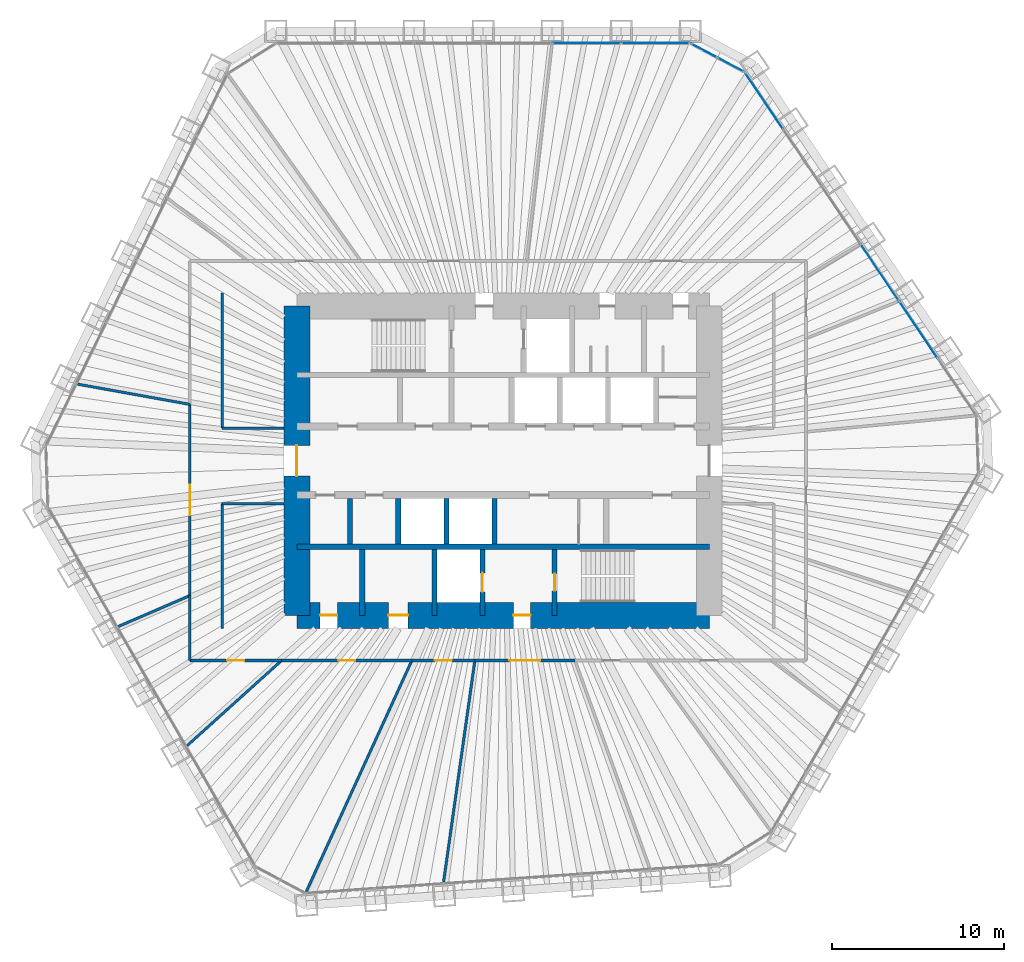
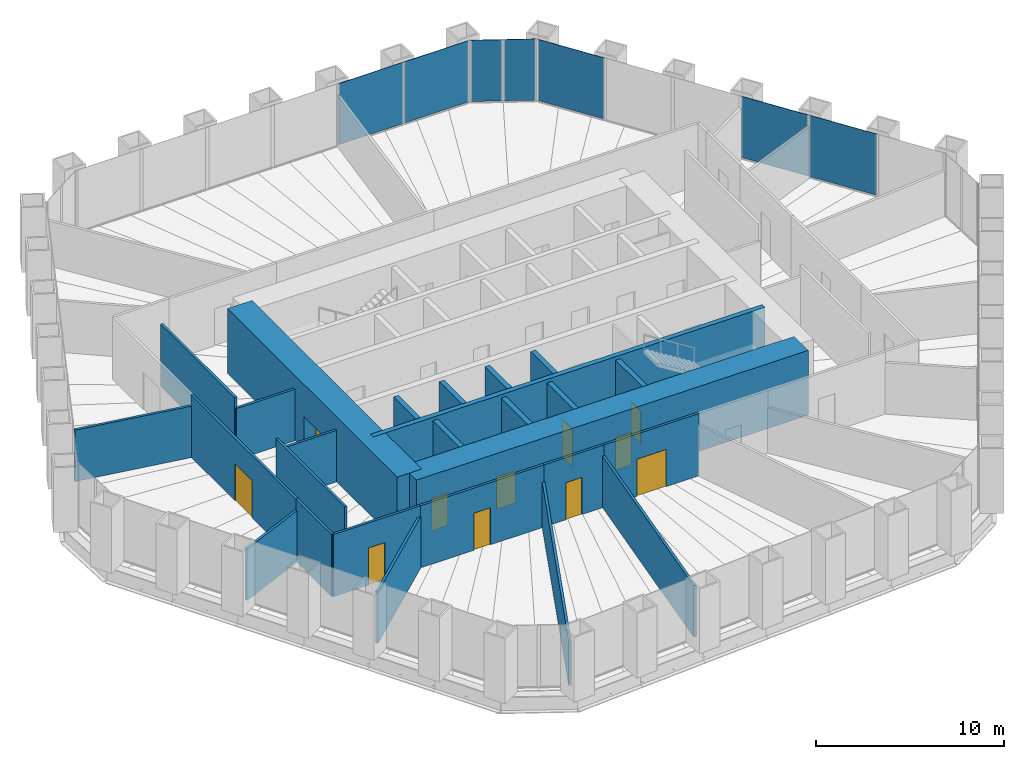
# One storey, part 10 of 13: 26 walls, 11 doors, 7 plates, 11 openings, 3 elements without a shape of their own.
"""IFC4 building model written with IfcOpenShell, lengths in metres."""

from ifc_helpers import new_model, si_unit, direction, frame, frame_2d, origin, origin_2d, place, context, subcontext, project, spatial, rectangle, extrude, material, layer, layer_set, type_object, element, fill, aggregate, save


model = new_model("IFC4")

# Units and contexts
model_context = context("Model", 3, precision=1e-05, world=origin(), true_north=direction((0.0, 1.0)))
body_context = subcontext(model_context, "Body", "Model", "MODEL_VIEW")
ifc_project = project(units=[si_unit("LENGTHUNIT", "METRE"), si_unit("AREAUNIT", "SQUARE_METRE"), si_unit("VOLUMEUNIT", "CUBIC_METRE"), si_unit("PLANEANGLEUNIT", "RADIAN"), si_unit("MASSUNIT", "GRAM", prefix="KILO")], contexts=[model_context])

# Site, building, storey
site_placement = place(None, origin())
site = spatial("IfcSite", under=ifc_project, at=site_placement, CompositionType="ELEMENT")
building_placement = place(site_placement, origin())
building = spatial("IfcBuilding", under=site, at=building_placement, Name="Qingtian Harvest Tower", CompositionType="ELEMENT")
storey_placement = place(building_placement, frame((0.0, 0.0, 128.199951171875)))
storey = spatial("IfcBuildingStorey", under=building, at=storey_placement, Name="L26", CompositionType="ELEMENT", Elevation=128.199951171875)

# Curtain wall, plates
ifc_material_1 = material(Name="Bronze-anodised aluminium curtain wall", Category="aluminium")
curtain_wall_type = type_object("IfcCurtainWallType", Name="Curtain wall CW4 office", PredefinedType="USERDEFINED", material=ifc_material_1)
curtain_wall_1_placement = place(storey_placement, origin())
curtain_wall_1 = element("IfcCurtainWall", 1, at=curtain_wall_1_placement, inside=storey, type_object=curtain_wall_type, Name="Curtain wall CW4 L26 N0-5", ObjectType="RECESSED CURTAIN WALL", PredefinedType="USERDEFINED")
ifc_material_2 = material(Name="Bronze-tinted laminated insulating glass", Category="glass")
ifc_layer_1 = layer(ifc_material_2, 0.030029296875)
ifc_layer_set_1 = layer_set([ifc_layer_1], Name="Glazed panel CWP tinted IGU")
plate_type = type_object("IfcPlateType", Name="Glazed panel CWP tinted IGU", PredefinedType="CURTAIN_PANEL", material=ifc_layer_set_1)
plate_1_placement = place(storey_placement, frame((4.864013671875, 24.300048828125, 0.06494140625), z_axis=(0.0, 0.0, 1.0), x_axis=(1.0, 0.0, 0.0)))
plate_1 = element("IfcPlate", 2, at=plate_1_placement, type_object=plate_type, Name="CW4 panel 5.1", PredefinedType="CURTAIN_PANEL", context=body_context, shape_type="SweptSolid", body=[
    extrude(rectangle(XDim=3.9541015625, YDim=0.030029296875, at=origin_2d()), origin(), (0.0, 0.0, 1.0), 3.965087890625),
])
plate_2_placement = place(storey_placement, frame((8.866943359375, 24.300048828125, 0.06494140625), z_axis=(0.0, 0.0, 1.0), x_axis=(1.0, 0.0, 0.0)))
plate_2 = element("IfcPlate", 3, at=plate_2_placement, type_object=plate_type, Name="CW4 panel 6.1", PredefinedType="CURTAIN_PANEL", context=body_context, shape_type="SweptSolid", body=[
    extrude(rectangle(XDim=3.921630859375, YDim=0.030029296875, at=origin_2d()), origin(), (0.0, 0.0, 1.0), 3.965087890625),
])
aggregate(curtain_wall_1, [plate_1, plate_2])

curtain_wall_2_placement = place(storey_placement, origin())
curtain_wall_2 = element("IfcCurtainWall", 4, at=curtain_wall_2_placement, inside=storey, type_object=curtain_wall_type, Name="Curtain wall CW4 L26 NC", ObjectType="RECESSED CURTAIN WALL", PredefinedType="USERDEFINED")
plate_3_placement = place(storey_placement, frame((11.697509765625, 23.8720703125, 0.06494140625), z_axis=(0.0, 0.0, 1.0), x_axis=(0.882947592859, -0.469471562786, 0.0)))
plate_3 = element("IfcPlate", 5, at=plate_3_placement, type_object=plate_type, Name="CW4 panel 1.1", PredefinedType="CURTAIN_PANEL", context=body_context, shape_type="SweptSolid", body=[
    extrude(rectangle(XDim=1.69287109375, YDim=0.030029296875, at=origin_2d()), origin(), (0.0, 0.0, 1.0), 3.965087890625),
])
plate_4_placement = place(storey_placement, frame((13.249755859375, 23.046875, 0.06494140625), z_axis=(0.0, 0.0, 1.0), x_axis=(0.882947592859, -0.469471562786, 0.0)))
plate_4 = element("IfcPlate", 6, at=plate_4_placement, type_object=plate_type, Name="CW4 panel 2.1", PredefinedType="CURTAIN_PANEL", context=body_context, shape_type="SweptSolid", body=[
    extrude(rectangle(XDim=1.69287109375, YDim=0.030029296875, at=origin_2d()), origin(), (0.0, 0.0, 1.0), 3.965087890625),
])
aggregate(curtain_wall_2, [plate_3, plate_4])

curtain_wall_3_placement = place(storey_placement, origin())
curtain_wall_3 = element("IfcCurtainWall", 7, at=curtain_wall_3_placement, inside=storey, type_object=curtain_wall_type, Name="Curtain wall CW4 L26 NE0-5", ObjectType="RECESSED CURTAIN WALL", PredefinedType="USERDEFINED")
plate_5_placement = place(storey_placement, frame((15.187255859375, 20.939453125, 0.06494140625), z_axis=(0.0, 0.0, 1.0), x_axis=(0.559192903471, -0.829037572555, 0.0)))
plate_5 = element("IfcPlate", 8, at=plate_5_placement, type_object=plate_type, Name="CW4 panel 1.1", PredefinedType="CURTAIN_PANEL", context=body_context, shape_type="SweptSolid", body=[
    extrude(rectangle(XDim=3.921630859375, YDim=0.030029296875, at=origin_2d()), origin(), (0.0, 0.0, 1.0), 3.965087890625),
])
plate_6_placement = place(storey_placement, frame((21.92041015625, 10.95703125, 0.06494140625), z_axis=(0.0, 0.0, 1.0), x_axis=(0.559192903471, -0.829037572555, 0.0)))
plate_6 = element("IfcPlate", 9, at=plate_6_placement, type_object=plate_type, Name="CW4 panel 4.1", PredefinedType="CURTAIN_PANEL", context=body_context, shape_type="SweptSolid", body=[
    extrude(rectangle(XDim=3.9541015625, YDim=0.030029296875, at=origin_2d()), origin(), (0.0, 0.0, 1.0), 3.965087890625),
])
plate_7_placement = place(storey_placement, frame((24.16796875, 7.625, 0.06494140625), z_axis=(0.0, 0.0, 1.0), x_axis=(0.559192903471, -0.829037572555, 0.0)))
plate_7 = element("IfcPlate", 10, at=plate_7_placement, type_object=plate_type, Name="CW4 panel 5.1", PredefinedType="CURTAIN_PANEL", context=body_context, shape_type="SweptSolid", body=[
    extrude(rectangle(XDim=3.9541015625, YDim=0.030029296875, at=origin_2d()), origin(), (0.0, 0.0, 1.0), 3.965087890625),
])
aggregate(curtain_wall_3, [plate_5, plate_6, plate_7])

# Walls
ifc_material_3 = material(Name="Concrete fc' 70 MPa", Category="concrete")
ifc_layer_2 = layer(ifc_material_3, 0.300048828125)
ifc_layer_set_2 = layer_set([ifc_layer_2], Name="Core inner wall RC5 300")
wall_type_1 = type_object("IfcWallType", Name="Core inner wall RC5 300", PredefinedType="SHEAR", material=ifc_layer_set_2)
wall_1_placement = place(storey_placement, frame((-12.0, -5.0, 0.0), z_axis=(0.0, 0.0, 1.0), x_axis=(1.0, 0.0, 0.0)))
element("IfcWall", 11, at=wall_1_placement, inside=storey, type_object=wall_type_1, Name="Core wall IS5 L26", PredefinedType="SHEAR", context=body_context, shape_type="SweptSolid", body=[
    extrude(rectangle(XDim=24.0, YDim=0.300048828125, at=frame_2d((12.0, 0.0))), origin(), (0.0, 0.0, 1.0), 4.199951171875),
])
ifc_material_4 = material(Name="Precast concrete shaft panel", Category="concrete")
ifc_layer_3 = layer(ifc_material_4, 0.300048828125)
ifc_layer_set_3 = layer_set([ifc_layer_3], Name="Core shaft partition SW1 300")
wall_type_2 = type_object("IfcWallType", Name="Core shaft partition SW1 300", PredefinedType="PARTITIONING", material=ifc_layer_set_3)
for number, where, z_axis, x_axis, name in (
    (12, (-8.89990234375, -4.85009765625, 0.0), (0.0, 0.0, 1.0), (0.0, 1.0, 0.0), "Core shaft partition XB1 L26"),
    (13, (-6.10009765625, -4.85009765625, 0.0), (0.0, 0.0, 1.0), (0.0, 1.0, 0.0), "Core shaft partition XB2 L26"),
    (14, (-3.300048828125, -4.85009765625, 0.0), (0.0, 0.0, 1.0), (0.0, 1.0, 0.0), "Core shaft partition XB3 L26"),
    (15, (-0.5, -4.85009765625, 0.0), (0.0, 0.0, 1.0), (0.0, 1.0, 0.0), "Core shaft partition XB4 L26"),
):
    element("IfcWall", number, at=place(storey_placement, frame(where, z_axis=z_axis, x_axis=x_axis)), inside=storey, type_object=wall_type_2, Name=name, PredefinedType="PARTITIONING", context=body_context, shape_type="SweptSolid", body=[
        extrude(rectangle(XDim=2.650146484375, YDim=0.300048828125, at=frame_2d((1.3251953125, 0.0))), origin(), (0.0, 0.0, 1.0), 3.97998046875),
    ])
for number, where, z_axis, x_axis, name in (
    (16, (-8.199951171875, -9.0, 0.0), (0.0, 0.0, 1.0), (0.0, 1.0, 0.0), "Core shaft partition XS1 L26"),
    (17, (-4.0, -9.0, 0.0), (0.0, 0.0, 1.0), (0.0, 1.0, 0.0), "Core shaft partition XS2 L26"),
):
    element("IfcWall", number, at=place(storey_placement, frame(where, z_axis=z_axis, x_axis=x_axis)), inside=storey, type_object=wall_type_2, Name=name, PredefinedType="PARTITIONING", context=body_context, shape_type="SweptSolid", body=[
        extrude(rectangle(XDim=3.85009765625, YDim=0.300048828125, at=frame_2d((1.925048828125, 0.0))), origin(), (0.0, 0.0, 1.0), 3.97998046875),
    ])

# Wall, opening, door
wall_2_placement = place(storey_placement, frame((-1.199951171875, -9.0, 0.0), z_axis=(0.0, 0.0, 1.0), x_axis=(0.0, 1.0, 0.0)))
wall_2 = element("IfcWall", 18, at=wall_2_placement, inside=storey, type_object=wall_type_2, Name="Core shaft partition XS3 L26", PredefinedType="PARTITIONING", context=body_context, shape_type="SweptSolid", body=[
    extrude(rectangle(XDim=3.85009765625, YDim=0.300048828125, at=frame_2d((1.925048828125, 0.0))), origin(), (0.0, 0.0, 1.0), 3.97998046875),
])
opening_1_placement = place(wall_2_placement, frame((1.375, 0.0, 0.0)))
opening_1 = element("IfcOpeningElement", 19, at=opening_1_placement, cuts=wall_2, Name="Opening LD1", PredefinedType="OPENING", context=body_context, shape_type="SweptSolid", body=[
    extrude(rectangle(XDim=1.10009765625, YDim=2.39990234375, at=frame_2d((0.550048828125, 1.199951171875))), frame((0.0, 0.159912109375, 0.0), z_axis=(0.0, -1.0, 0.0), x_axis=(1.0, 0.0, 0.0)), (0.0, 0.0, 1.0), 0.320068359375),
])
ifc_material_5 = material(Name="Stainless steel lift landing door", Category="steel")
door_type_1 = type_object("IfcDoorType", Name="Lift landing door LD1 1 HR", OperationType="DOUBLE_DOOR_SLIDING", PredefinedType="DOOR", material=ifc_material_5)
door_1_placement = place(opening_1_placement, origin())
door_1 = element("IfcDoor", 20, at=door_1_placement, inside=storey, type_object=door_type_1, Name="FL2 landing door L26", OperationType="DOUBLE_DOOR_SLIDING", OverallHeight=2.39990234375, OverallWidth=1.10009765625, PredefinedType="DOOR", context=body_context, shape_type="SweptSolid", body=[
    extrude(rectangle(XDim=1.10009765625, YDim=2.39990234375, at=frame_2d((0.550048828125, 1.199951171875))), frame((0.0, 0.02490234375, 0.0), z_axis=(0.0, -1.0, 0.0), x_axis=(1.0, 0.0, 0.0)), (0.0, 0.0, 1.0), 0.050048828125),
])
fill(opening_1, door_1)

wall_3_placement = place(storey_placement, frame((3.0, -9.0, 0.0), z_axis=(0.0, 0.0, 1.0), x_axis=(0.0, 1.0, 0.0)))
wall_3 = element("IfcWall", 21, at=wall_3_placement, inside=storey, type_object=wall_type_2, Name="Core shaft partition XS4 L26", PredefinedType="PARTITIONING", context=body_context, shape_type="SweptSolid", body=[
    extrude(rectangle(XDim=3.85009765625, YDim=0.300048828125, at=frame_2d((1.925048828125, 0.0))), origin(), (0.0, 0.0, 1.0), 3.97998046875),
])
opening_2_placement = place(wall_3_placement, frame((1.425048828125, 0.0, 0.0)))
opening_2 = element("IfcOpeningElement", 22, at=opening_2_placement, cuts=wall_3, Name="Opening FD1", PredefinedType="OPENING", context=body_context, shape_type="SweptSolid", body=[
    extrude(rectangle(XDim=1.0, YDim=2.10009765625, at=frame_2d((0.5, 1.050048828125))), frame((0.0, 0.159912109375, 0.0), z_axis=(0.0, -1.0, 0.0), x_axis=(1.0, 0.0, 0.0)), (0.0, 0.0, 1.0), 0.320068359375),
])
ifc_material_6 = material(Name="Steel-faced door leaf", Category="steel")
door_type_2 = type_object("IfcDoorType", Name="Fire door FD1 single 1 HR", OperationType="SINGLE_SWING_LEFT", PredefinedType="DOOR", material=ifc_material_6)
door_2_placement = place(opening_2_placement, origin())
door_2 = element("IfcDoor", 23, at=door_2_placement, inside=storey, type_object=door_type_2, Name="S2 door L26", OperationType="SINGLE_SWING_RIGHT", OverallHeight=2.10009765625, OverallWidth=1.0, PredefinedType="DOOR", context=body_context, shape_type="SweptSolid", body=[
    extrude(rectangle(XDim=1.0, YDim=2.10009765625, at=frame_2d((0.5, 1.050048828125))), frame((0.0, 0.02490234375, 0.0), z_axis=(0.0, -1.0, 0.0), x_axis=(1.0, 0.0, 0.0)), (0.0, 0.0, 1.0), 0.050048828125),
])
fill(opening_2, door_2)

# Wall, openings, doors
ifc_material_7 = material(Name="Concrete fc' 70 MPa", Category="concrete")
ifc_layer_4 = layer(ifc_material_7, 1.5)
ifc_layer_set_4 = layer_set([ifc_layer_4], Name="Core wall RC1 1500")
wall_type_3 = type_object("IfcWallType", Name="Core wall RC1 1500", PredefinedType="SHEAR", material=ifc_layer_set_4)
wall_4_placement = place(storey_placement, frame((-12.0, -9.0, 0.0), z_axis=(0.0, 0.0, 1.0), x_axis=(1.0, 0.0, 0.0)))
wall_4 = element("IfcWall", 24, at=wall_4_placement, inside=storey, type_object=wall_type_3, Name="Core wall CS L26", PredefinedType="SHEAR", context=body_context, shape_type="SweptSolid", body=[
    extrude(rectangle(XDim=24.0, YDim=1.5, at=frame_2d((12.0, 0.0))), origin(), (0.0, 0.0, 1.0), 4.199951171875),
])
opening_3_placement = place(wall_4_placement, frame((1.35009765625, 0.0, 0.0)))
opening_3 = element("IfcOpeningElement", 25, at=opening_3_placement, cuts=wall_4, Name="Opening FD1", PredefinedType="OPENING", context=body_context, shape_type="SweptSolid", body=[
    extrude(rectangle(XDim=1.0, YDim=2.10009765625, at=frame_2d((0.5, 1.050048828125))), frame((0.0, 0.760009765625, 0.0), z_axis=(0.0, -1.0, 0.0), x_axis=(1.0, 0.0, 0.0)), (0.0, 0.0, 1.0), 1.52001953125),
])
opening_4_placement = place(wall_4_placement, frame((5.324951171875, 0.0, 0.0)))
opening_4 = element("IfcOpeningElement", 26, at=opening_4_placement, cuts=wall_4, Name="Opening AD1", PredefinedType="OPENING", context=body_context, shape_type="SweptSolid", body=[
    extrude(rectangle(XDim=1.14990234375, YDim=2.10009765625, at=frame_2d((0.574951171875, 1.050048828125))), frame((0.0, 0.760009765625, 0.0), z_axis=(0.0, -1.0, 0.0), x_axis=(1.0, 0.0, 0.0)), (0.0, 0.0, 1.0), 1.52001953125),
])
opening_5_placement = place(wall_4_placement, frame((12.60009765625, 0.0, 0.0)))
opening_5 = element("IfcOpeningElement", 27, at=opening_5_placement, cuts=wall_4, Name="Opening FD1", PredefinedType="OPENING", context=body_context, shape_type="SweptSolid", body=[
    extrude(rectangle(XDim=1.0, YDim=2.10009765625, at=frame_2d((0.5, 1.050048828125))), frame((0.0, 0.760009765625, 0.0), z_axis=(0.0, -1.0, 0.0), x_axis=(1.0, 0.0, 0.0)), (0.0, 0.0, 1.0), 1.52001953125),
])
ifc_material_8 = material(Name="Laminated timber door leaf", Category="wood")
door_type_3 = type_object("IfcDoorType", Name="Accessible WC door AD1 single", OperationType="SINGLE_SWING_LEFT", PredefinedType="DOOR", material=ifc_material_8)
door_3_placement = place(opening_4_placement, origin())
door_3 = element("IfcDoor", 28, at=door_3_placement, inside=storey, type_object=door_type_3, Name="AWC door L26", OperationType="SINGLE_SWING_RIGHT", OverallHeight=2.10009765625, OverallWidth=1.14990234375, PredefinedType="DOOR", context=body_context, shape_type="SweptSolid", body=[
    extrude(rectangle(XDim=1.14990234375, YDim=2.10009765625, at=frame_2d((0.574951171875, 1.050048828125))), frame((0.0, 0.02490234375, 0.0), z_axis=(0.0, -1.0, 0.0), x_axis=(1.0, 0.0, 0.0)), (0.0, 0.0, 1.0), 0.050048828125),
])
fill(opening_4, door_3)
door_4_placement = place(opening_3_placement, origin())
door_4 = element("IfcDoor", 29, at=door_4_placement, inside=storey, type_object=door_type_2, Name="CLN door L26", OperationType="SINGLE_SWING_LEFT", OverallHeight=2.10009765625, OverallWidth=1.0, PredefinedType="DOOR", context=body_context, shape_type="SweptSolid", body=[
    extrude(rectangle(XDim=1.0, YDim=2.10009765625, at=frame_2d((0.5, 1.050048828125))), frame((0.0, 0.02490234375, 0.0), z_axis=(0.0, -1.0, 0.0), x_axis=(1.0, 0.0, 0.0)), (0.0, 0.0, 1.0), 0.050048828125),
])
fill(opening_3, door_4)
door_5_placement = place(opening_5_placement, origin())
door_5 = element("IfcDoor", 30, at=door_5_placement, inside=storey, type_object=door_type_2, Name="V2 door L26", OperationType="SINGLE_SWING_RIGHT", OverallHeight=2.10009765625, OverallWidth=1.0, PredefinedType="DOOR", context=body_context, shape_type="SweptSolid", body=[
    extrude(rectangle(XDim=1.0, YDim=2.10009765625, at=frame_2d((0.5, 1.050048828125))), frame((0.0, 0.02490234375, 0.0), z_axis=(0.0, -1.0, 0.0), x_axis=(1.0, 0.0, 0.0)), (0.0, 0.0, 1.0), 0.050048828125),
])
fill(opening_5, door_5)

# Wall, opening, door
wall_5_placement = place(storey_placement, frame((-12.0, -9.0, 0.0), z_axis=(0.0, 0.0, 1.0), x_axis=(0.0, 1.0, 0.0)))
wall_5 = element("IfcWall", 31, at=wall_5_placement, inside=storey, type_object=wall_type_3, Name="Core wall CW L26", PredefinedType="SHEAR", context=body_context, shape_type="SweptSolid", body=[
    extrude(rectangle(XDim=18.0, YDim=1.5, at=frame_2d((9.0, 0.0))), origin(), (0.0, 0.0, 1.0), 4.199951171875),
])
opening_6_placement = place(wall_5_placement, frame((8.10009765625, 0.0, 0.0)))
opening_6 = element("IfcOpeningElement", 32, at=opening_6_placement, cuts=wall_5, Name="Opening FD2", PredefinedType="OPENING", context=body_context, shape_type="SweptSolid", body=[
    extrude(rectangle(XDim=1.800048828125, YDim=2.10009765625, at=frame_2d((0.89990234375, 1.050048828125))), frame((0.0, 0.760009765625, 0.0), z_axis=(0.0, -1.0, 0.0), x_axis=(1.0, 0.0, 0.0)), (0.0, 0.0, 1.0), 1.52001953125),
])
ifc_material_9 = material(Name="Steel-faced door leaf", Category="steel")
door_type_4 = type_object("IfcDoorType", Name="Fire door FD2 double 1 HR", OperationType="DOUBLE_DOOR_DOUBLE_SWING", PredefinedType="DOOR", material=ifc_material_9)
door_6_placement = place(opening_6_placement, origin())
door_6 = element("IfcDoor", 33, at=door_6_placement, inside=storey, type_object=door_type_4, Name="LOBBY-W door L26", OperationType="DOUBLE_DOOR_DOUBLE_SWING", OverallHeight=2.10009765625, OverallWidth=1.800048828125, PredefinedType="DOOR", context=body_context, shape_type="SweptSolid", body=[
    extrude(rectangle(XDim=1.800048828125, YDim=2.10009765625, at=frame_2d((0.89990234375, 1.050048828125))), frame((0.0, 0.02490234375, 0.0), z_axis=(0.0, -1.0, 0.0), x_axis=(1.0, 0.0, 0.0)), (0.0, 0.0, 1.0), 0.050048828125),
])
fill(opening_6, door_6)

# Wall
ifc_material_10 = material(Name="Gypsum board on steel studs", Category="steel")
ifc_layer_5 = layer(ifc_material_10, 0.14990234375)
ifc_layer_set_5 = layer_set([ifc_layer_5], Name="Partition PT1 150")
wall_type_4 = type_object("IfcWallType", Name="Partition PT1 150", PredefinedType="PARTITIONING", material=ifc_layer_set_5)
wall_6_placement = place(storey_placement, frame((-3.4619140625, -24.50341796875, 0.0), z_axis=(0.0, 0.0, 1.0), x_axis=(0.139899618934, 0.990165691499, 0.0)))
element("IfcWall", 34, at=wall_6_placement, inside=storey, type_object=wall_type_4, Name="Microbiology lab wall L26", PredefinedType="PARTITIONING", context=body_context, shape_type="SweptSolid", body=[
    extrude(rectangle(XDim=13.00634765625, YDim=0.14990234375, at=frame_2d((6.503173828125, 0.0))), origin(), (0.0, 0.0, 1.0), 3.330078125),
])

# Wall, opening, door
wall_7_placement = place(storey_placement, frame((-1.642333984375, -11.625, 0.0), z_axis=(0.0, 0.0, 1.0), x_axis=(-1.0, 0.0, 0.0)))
wall_7 = element("IfcWall", 35, at=wall_7_placement, inside=storey, type_object=wall_type_4, Name="Microbiology lab wall L26", PredefinedType="PARTITIONING", context=body_context, shape_type="SweptSolid", body=[
    extrude(rectangle(XDim=3.66796875, YDim=0.14990234375, at=frame_2d((1.833984375, 0.0))), origin(), (0.0, 0.0, 1.0), 4.030029296875),
])
opening_7_placement = place(wall_7_placement, frame((1.333984375, 0.0, 0.0)))
opening_7 = element("IfcOpeningElement", 36, at=opening_7_placement, cuts=wall_7, Name="Opening D2", PredefinedType="OPENING", context=body_context, shape_type="SweptSolid", body=[
    extrude(rectangle(XDim=1.0, YDim=2.39990234375, at=frame_2d((0.5, 1.199951171875))), frame((0.0, 0.0849609375, 0.0), z_axis=(0.0, -1.0, 0.0), x_axis=(1.0, 0.0, 0.0)), (0.0, 0.0, 1.0), 0.169921875),
])
ifc_material_11 = material(Name="Laminated timber door leaf", Category="wood")
door_type_5 = type_object("IfcDoorType", Name="Room door D2 single", OperationType="SINGLE_SWING_LEFT", PredefinedType="DOOR", material=ifc_material_11)
door_7_placement = place(opening_7_placement, origin())
door_7 = element("IfcDoor", 37, at=door_7_placement, inside=storey, type_object=door_type_5, Name="Microbiology lab door L26", OperationType="SINGLE_SWING_RIGHT", OverallHeight=2.39990234375, OverallWidth=1.0, PredefinedType="DOOR", context=body_context, shape_type="SweptSolid", body=[
    extrude(rectangle(XDim=1.0, YDim=2.39990234375, at=frame_2d((0.5, 1.199951171875))), frame((0.0, 0.02490234375, 0.0), z_axis=(0.0, -1.0, 0.0), x_axis=(1.0, 0.0, 0.0)), (0.0, 0.0, 1.0), 0.050048828125),
])
fill(opening_7, door_7)

# Wall
wall_8_placement = place(storey_placement, frame((-11.452880859375, -25.072265625, 0.0), z_axis=(0.0, 0.0, 1.0), x_axis=(0.415494357555, 0.909595755729, 0.0)))
element("IfcWall", 38, at=wall_8_placement, inside=storey, type_object=wall_type_4, Name="Chemistry lab wall L26", PredefinedType="PARTITIONING", context=body_context, shape_type="SweptSolid", body=[
    extrude(rectangle(XDim=14.78369140625, YDim=0.14990234375, at=frame_2d((7.391845703125, 0.0))), origin(), (0.0, 0.0, 1.0), 2.929931640625),
])

# Wall, opening, door
wall_9_placement = place(storey_placement, frame((-5.310302734375, -11.625, 0.0), z_axis=(0.0, 0.0, 1.0), x_axis=(-1.0, 0.0, 0.0)))
wall_9 = element("IfcWall", 39, at=wall_9_placement, inside=storey, type_object=wall_type_4, Name="Chemistry lab wall L26", PredefinedType="PARTITIONING", context=body_context, shape_type="SweptSolid", body=[
    extrude(rectangle(XDim=7.581787109375, YDim=0.14990234375, at=frame_2d((3.791015625, 0.0))), origin(), (0.0, 0.0, 1.0), 4.030029296875),
])
opening_8_placement = place(wall_9_placement, frame((3.290771484375, 0.0, 0.0)))
opening_8 = element("IfcOpeningElement", 40, at=opening_8_placement, cuts=wall_9, Name="Opening D2", PredefinedType="OPENING", context=body_context, shape_type="SweptSolid", body=[
    extrude(rectangle(XDim=1.0, YDim=2.39990234375, at=frame_2d((0.5, 1.199951171875))), frame((0.0, 0.0849609375, 0.0), z_axis=(0.0, -1.0, 0.0), x_axis=(1.0, 0.0, 0.0)), (0.0, 0.0, 1.0), 0.169921875),
])
door_8_placement = place(opening_8_placement, origin())
door_8 = element("IfcDoor", 41, at=door_8_placement, inside=storey, type_object=door_type_5, Name="Chemistry lab door L26", OperationType="SINGLE_SWING_LEFT", OverallHeight=2.39990234375, OverallWidth=1.0, PredefinedType="DOOR", context=body_context, shape_type="SweptSolid", body=[
    extrude(rectangle(XDim=1.0, YDim=2.39990234375, at=frame_2d((0.5, 1.199951171875))), frame((0.0, 0.02490234375, 0.0), z_axis=(0.0, -1.0, 0.0), x_axis=(1.0, 0.0, 0.0)), (0.0, 0.0, 1.0), 0.050048828125),
])
fill(opening_8, door_8)

# Wall
wall_10_placement = place(storey_placement, frame((-18.37841796875, -16.572021484375, 0.0), z_axis=(0.0, 0.0, 1.0), x_axis=(0.742666079924, 0.669661924951, 0.0)))
element("IfcWall", 42, at=wall_10_placement, inside=storey, type_object=wall_type_4, Name="Office suite wall L26", PredefinedType="PARTITIONING", context=body_context, shape_type="SweptSolid", body=[
    extrude(rectangle(XDim=7.387451171875, YDim=0.14990234375, at=frame_2d((3.69384765625, 0.0))), origin(), (0.0, 0.0, 1.0), 3.330078125),
])

# Wall, opening, door
wall_11_placement = place(storey_placement, frame((-12.89208984375, -11.625, 0.0), z_axis=(0.0, 0.0, 1.0), x_axis=(-1.0, 0.0, 0.0)))
wall_11 = element("IfcWall", 43, at=wall_11_placement, inside=storey, type_object=wall_type_4, Name="Office suite wall L26", PredefinedType="PARTITIONING", context=body_context, shape_type="SweptSolid", body=[
    extrude(rectangle(XDim=5.3330078125, YDim=0.14990234375, at=frame_2d((2.66650390625, 0.0))), origin(), (0.0, 0.0, 1.0), 4.030029296875),
])
opening_9_placement = place(wall_11_placement, frame((2.16650390625, 0.0, 0.0)))
opening_9 = element("IfcOpeningElement", 44, at=opening_9_placement, cuts=wall_11, Name="Opening D2", PredefinedType="OPENING", context=body_context, shape_type="SweptSolid", body=[
    extrude(rectangle(XDim=1.0, YDim=2.39990234375, at=frame_2d((0.5, 1.199951171875))), frame((0.0, 0.0849609375, 0.0), z_axis=(0.0, -1.0, 0.0), x_axis=(1.0, 0.0, 0.0)), (0.0, 0.0, 1.0), 0.169921875),
])
door_9_placement = place(opening_9_placement, origin())
door_9 = element("IfcDoor", 45, at=door_9_placement, inside=storey, type_object=door_type_5, Name="Office suite door L26", OperationType="SINGLE_SWING_LEFT", OverallHeight=2.39990234375, OverallWidth=1.0, PredefinedType="DOOR", context=body_context, shape_type="SweptSolid", body=[
    extrude(rectangle(XDim=1.0, YDim=2.39990234375, at=frame_2d((0.5, 1.199951171875))), frame((0.0, 0.02490234375, 0.0), z_axis=(0.0, -1.0, 0.0), x_axis=(1.0, 0.0, 0.0)), (0.0, 0.0, 1.0), 0.050048828125),
])
fill(opening_9, door_9)

# Walls
wall_12_placement = place(storey_placement, frame((-18.22509765625, -11.625, 0.0), z_axis=(0.0, 0.0, 1.0), x_axis=(0.0, 1.0, 0.0)))
element("IfcWall", 46, at=wall_12_placement, inside=storey, type_object=wall_type_4, Name="Office suite wall L26", PredefinedType="PARTITIONING", context=body_context, shape_type="SweptSolid", body=[
    extrude(rectangle(XDim=3.776123046875, YDim=0.14990234375, at=frame_2d((1.88818359375, 0.0))), origin(), (0.0, 0.0, 1.0), 4.030029296875),
])
wall_13_placement = place(storey_placement, frame((-22.3798828125, -9.638427734375, 0.0), z_axis=(0.0, 0.0, 1.0), x_axis=(0.918428905659, 0.395586078181, 0.0)))
element("IfcWall", 47, at=wall_13_placement, inside=storey, type_object=wall_type_4, Name="Sensory lab wall L26", PredefinedType="PARTITIONING", context=body_context, shape_type="SweptSolid", body=[
    extrude(rectangle(XDim=4.523681640625, YDim=0.14990234375, at=frame_2d((2.26171875, 0.0))), origin(), (0.0, 0.0, 1.0), 3.330078125),
])

# Wall, opening, door
wall_14_placement = place(storey_placement, frame((-18.22509765625, -7.848876953125, 0.0), z_axis=(0.0, 0.0, 1.0), x_axis=(0.0, 1.0, 0.0)))
wall_14 = element("IfcWall", 48, at=wall_14_placement, inside=storey, type_object=wall_type_4, Name="Sensory lab wall L26", PredefinedType="PARTITIONING", context=body_context, shape_type="SweptSolid", body=[
    extrude(rectangle(XDim=11.1298828125, YDim=0.14990234375, at=frame_2d((5.56494140625, 0.0))), origin(), (0.0, 0.0, 1.0), 4.030029296875),
])
opening_10_placement = place(wall_14_placement, frame((4.6650390625, 0.0, 0.0)))
opening_10 = element("IfcOpeningElement", 49, at=opening_10_placement, cuts=wall_14, Name="Opening D3", PredefinedType="OPENING", context=body_context, shape_type="SweptSolid", body=[
    extrude(rectangle(XDim=1.800048828125, YDim=2.39990234375, at=frame_2d((0.89990234375, 1.199951171875))), frame((0.0, 0.0849609375, 0.0), z_axis=(0.0, -1.0, 0.0), x_axis=(1.0, 0.0, 0.0)), (0.0, 0.0, 1.0), 0.169921875),
])
ifc_material_12 = material(Name="Laminated timber door leaf", Category="wood")
door_type_6 = type_object("IfcDoorType", Name="Room door D3 double", OperationType="DOUBLE_DOOR_DOUBLE_SWING", PredefinedType="DOOR", material=ifc_material_12)
door_10_placement = place(opening_10_placement, origin())
door_10 = element("IfcDoor", 50, at=door_10_placement, inside=storey, type_object=door_type_6, Name="Sensory lab door L26", OperationType="DOUBLE_DOOR_DOUBLE_SWING", OverallHeight=2.39990234375, OverallWidth=1.800048828125, PredefinedType="DOOR", context=body_context, shape_type="SweptSolid", body=[
    extrude(rectangle(XDim=1.800048828125, YDim=2.39990234375, at=frame_2d((0.89990234375, 1.199951171875))), frame((0.0, 0.02490234375, 0.0), z_axis=(0.0, -1.0, 0.0), x_axis=(1.0, 0.0, 0.0)), (0.0, 0.0, 1.0), 0.050048828125),
])
fill(opening_10, door_10)

# Wall
wall_15_placement = place(storey_placement, frame((-24.75537109375, 4.456787109375, 0.0), z_axis=(0.0, 0.0, 1.0), x_axis=(0.984174598206, -0.177201467959, 0.0)))
element("IfcWall", 51, at=wall_15_placement, inside=storey, type_object=wall_type_4, Name="Test kitchen wall L26", PredefinedType="PARTITIONING", context=body_context, shape_type="SweptSolid", body=[
    extrude(rectangle(XDim=6.63525390625, YDim=0.14990234375, at=frame_2d((3.317626953125, 0.0))), origin(), (0.0, 0.0, 1.0), 3.330078125),
])

# Wall, opening, door
wall_16_placement = place(storey_placement, frame((4.18408203125, -11.625, 0.0), z_axis=(0.0, 0.0, 1.0), x_axis=(-1.0, 0.0, 0.0)))
wall_16 = element("IfcWall", 52, at=wall_16_placement, inside=storey, type_object=wall_type_4, Name="Meeting room wall L26", PredefinedType="PARTITIONING", context=body_context, shape_type="SweptSolid", body=[
    extrude(rectangle(XDim=5.826416015625, YDim=0.14990234375, at=frame_2d((2.9130859375, 0.0))), origin(), (0.0, 0.0, 1.0), 4.030029296875),
])
opening_11_placement = place(wall_16_placement, frame((2.01318359375, 0.0, 0.0)))
opening_11 = element("IfcOpeningElement", 53, at=opening_11_placement, cuts=wall_16, Name="Opening D3", PredefinedType="OPENING", context=body_context, shape_type="SweptSolid", body=[
    extrude(rectangle(XDim=1.800048828125, YDim=2.39990234375, at=frame_2d((0.89990234375, 1.199951171875))), frame((0.0, 0.0849609375, 0.0), z_axis=(0.0, -1.0, 0.0), x_axis=(1.0, 0.0, 0.0)), (0.0, 0.0, 1.0), 0.169921875),
])
door_11_placement = place(opening_11_placement, origin())
door_11 = element("IfcDoor", 54, at=door_11_placement, inside=storey, type_object=door_type_6, Name="Meeting room door L26", OperationType="DOUBLE_DOOR_DOUBLE_SWING", OverallHeight=2.39990234375, OverallWidth=1.800048828125, PredefinedType="DOOR", context=body_context, shape_type="SweptSolid", body=[
    extrude(rectangle(XDim=1.800048828125, YDim=2.39990234375, at=frame_2d((0.89990234375, 1.199951171875))), frame((0.0, 0.02490234375, 0.0), z_axis=(0.0, -1.0, 0.0), x_axis=(1.0, 0.0, 0.0)), (0.0, 0.0, 1.0), 0.050048828125),
])
fill(opening_11, door_11)

# Walls
wall_17_placement = place(storey_placement, frame((-16.35009765625, 1.89990234375, 0.0), z_axis=(0.0, 0.0, 1.0), x_axis=(0.0, 1.0, 0.0)))
element("IfcWall", 55, at=wall_17_placement, inside=storey, type_object=wall_type_4, Name="Reading area wall L26", PredefinedType="PARTITIONING", context=body_context, shape_type="SweptSolid", body=[
    extrude(rectangle(XDim=7.85009765625, YDim=0.14990234375, at=frame_2d((3.925048828125, 0.0))), origin(), (0.0, 0.0, 1.0), 4.030029296875),
])
wall_18_placement = place(storey_placement, frame((-12.75, 1.89990234375, 0.0), z_axis=(0.0, 0.0, 1.0), x_axis=(-1.0, 0.0, 0.0)))
element("IfcWall", 56, at=wall_18_placement, inside=storey, type_object=wall_type_4, Name="Reading area wall L26", PredefinedType="PARTITIONING", context=body_context, shape_type="SweptSolid", body=[
    extrude(rectangle(XDim=3.60009765625, YDim=0.14990234375, at=frame_2d((1.800048828125, 0.0))), origin(), (0.0, 0.0, 1.0), 3.330078125),
])
wall_19_placement = place(storey_placement, frame((-16.35009765625, -9.75, 0.0), z_axis=(0.0, 0.0, 1.0), x_axis=(0.0, 1.0, 0.0)))
element("IfcWall", 57, at=wall_19_placement, inside=storey, type_object=wall_type_4, Name="Coffee point wall L26", PredefinedType="PARTITIONING", context=body_context, shape_type="SweptSolid", body=[
    extrude(rectangle(XDim=7.25, YDim=0.14990234375, at=frame_2d((3.625, 0.0))), origin(), (0.0, 0.0, 1.0), 4.030029296875),
])
wall_20_placement = place(storey_placement, frame((-12.75, -2.5, 0.0), z_axis=(0.0, 0.0, 1.0), x_axis=(-1.0, 0.0, 0.0)))
element("IfcWall", 58, at=wall_20_placement, inside=storey, type_object=wall_type_4, Name="Coffee point wall L26", PredefinedType="PARTITIONING", context=body_context, shape_type="SweptSolid", body=[
    extrude(rectangle(XDim=3.60009765625, YDim=0.14990234375, at=frame_2d((1.800048828125, 0.0))), origin(), (0.0, 0.0, 1.0), 3.330078125),
])

save(model, "model.ifc")
